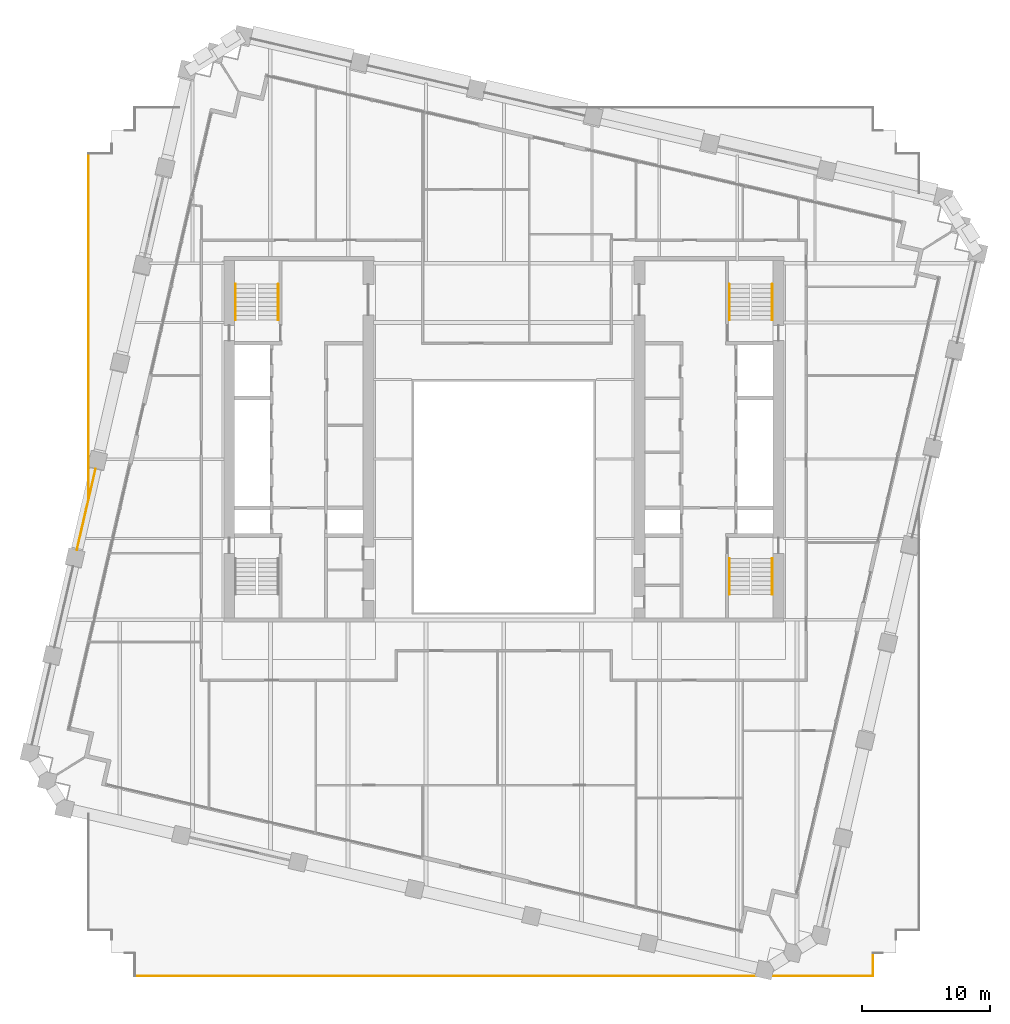
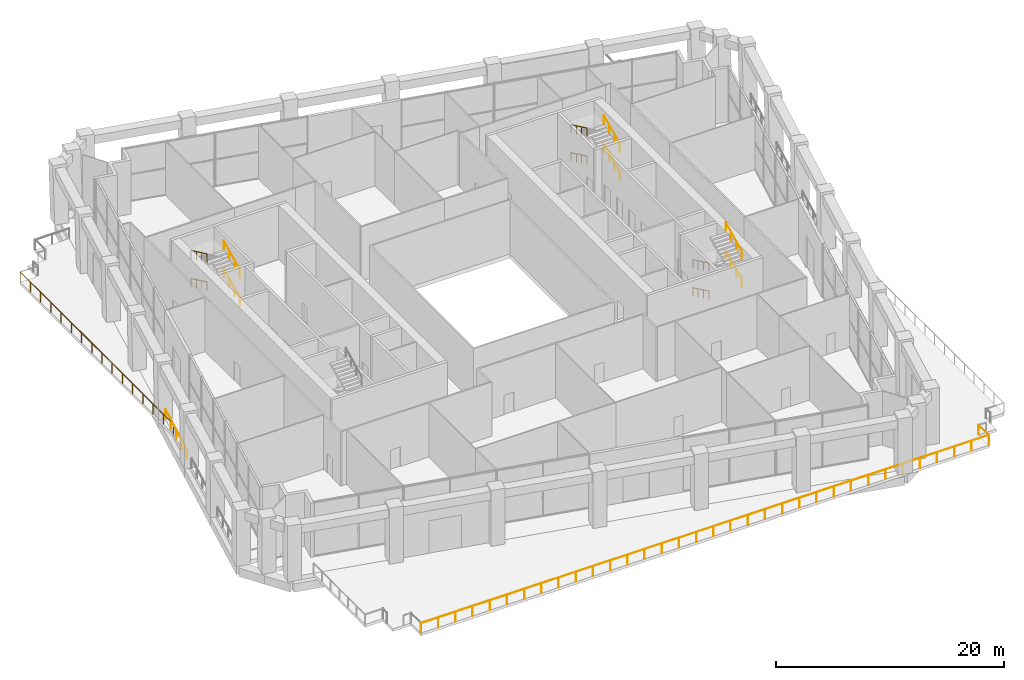
# One storey, part 21 of 23: 16 railings.
"""IFC4 building model written with IfcOpenShell, lengths in metres."""

from ifc_helpers import new_model, si_unit, direction, frame, origin, origin_2d, place, context, subcontext, project, spatial, circle, extrude, material, type_object, element, save


model = new_model("IFC4")

# Units and contexts
model_context = context("Model", 3, precision=1e-05, world=origin(), true_north=direction((0.0, 1.0)))
body_context = subcontext(model_context, "Body", "Model", "MODEL_VIEW")
ifc_project = project(units=[si_unit("LENGTHUNIT", "METRE"), si_unit("AREAUNIT", "SQUARE_METRE"), si_unit("VOLUMEUNIT", "CUBIC_METRE"), si_unit("PLANEANGLEUNIT", "RADIAN"), si_unit("MASSUNIT", "GRAM", prefix="KILO")], contexts=[model_context])

# Site, building, storey
site_placement = place(None, origin())
site = spatial("IfcSite", under=ifc_project, at=site_placement, CompositionType="ELEMENT")
building_placement = place(site_placement, origin())
building = spatial("IfcBuilding", under=site, at=building_placement, Name="Ogive Exchange Tower", CompositionType="ELEMENT")
storey_placement = place(building_placement, frame((0.0, 0.0, 99.60009765625)))
storey = spatial("IfcBuildingStorey", under=building, at=storey_placement, Name="L21", CompositionType="ELEMENT", Elevation=99.60009765625)

# Railings
ifc_material_1 = material(Name="Stainless steel 316", Category="steel")
railing_type_1 = type_object("IfcRailingType", Name="Balustrade 1100 glass and stainless steel", PredefinedType="BALUSTRADE", material=ifc_material_1)
railing_1_placement = place(storey_placement, frame((28.800048828125, -28.60009765625, 0.0)))
element("IfcRailing", 1, at=railing_1_placement, inside=storey, type_object=railing_type_1, Name="Terrace balustrade 4", PredefinedType="BALUSTRADE", context=body_context, shape_type="SweptSolid", body=[
    extrude(circle(Radius=0.02392578125, at=origin_2d()), frame((0.0, 0.0, 1.076171875), z_axis=(0.0, -1.0, 0.0), x_axis=(1.0, 0.0, 0.0)), (0.0, 0.0, 1.0), 1.7998046875),
    extrude(circle(Radius=0.02099609375, at=origin_2d()), origin(), (0.0, 0.0, 1.0), 1.052001953125),
    extrude(circle(Radius=0.02099609375, at=origin_2d()), frame((0.0, -1.7998046875, 0.0)), (0.0, 0.0, 1.0), 1.052001953125),
])
railing_2_placement = place(storey_placement, frame((28.800048828125, -30.39990234375, 0.0)))
element("IfcRailing", 2, at=railing_2_placement, inside=storey, type_object=railing_type_1, Name="Terrace balustrade 5", PredefinedType="BALUSTRADE", context=body_context, shape_type="SweptSolid", body=[
    extrude(circle(Radius=0.02392578125, at=origin_2d()), frame((0.0, 0.0, 1.076171875), z_axis=(-1.0, 0.0, 0.0), x_axis=(0.0, -1.0, 0.0)), (0.0, 0.0, 1.0), 57.60009765625),
    extrude(circle(Radius=0.02099609375, at=origin_2d()), origin(), (0.0, 0.0, 1.0), 1.052001953125),
    extrude(circle(Radius=0.02099609375, at=origin_2d()), frame((-1.745361328125, 0.0, 0.0)), (0.0, 0.0, 1.0), 1.052001953125),
    extrude(circle(Radius=0.02099609375, at=origin_2d()), frame((-3.490966796875, 0.0, 0.0)), (0.0, 0.0, 1.0), 1.052001953125),
    extrude(circle(Radius=0.02099609375, at=origin_2d()), frame((-5.236328125, 0.0, 0.0)), (0.0, 0.0, 1.0), 1.052001953125),
    extrude(circle(Radius=0.02099609375, at=origin_2d()), frame((-6.98193359375, 0.0, 0.0)), (0.0, 0.0, 1.0), 1.052001953125),
    extrude(circle(Radius=0.02099609375, at=origin_2d()), frame((-8.727294921875, 0.0, 0.0)), (0.0, 0.0, 1.0), 1.052001953125),
    extrude(circle(Radius=0.02099609375, at=origin_2d()), frame((-10.47265625, 0.0, 0.0)), (0.0, 0.0, 1.0), 1.052001953125),
    extrude(circle(Radius=0.02099609375, at=origin_2d()), frame((-12.21826171875, 0.0, 0.0)), (0.0, 0.0, 1.0), 1.052001953125),
    extrude(circle(Radius=0.02099609375, at=origin_2d()), frame((-13.963623046875, 0.0, 0.0)), (0.0, 0.0, 1.0), 1.052001953125),
    extrude(circle(Radius=0.02099609375, at=origin_2d()), frame((-15.709228515625, 0.0, 0.0)), (0.0, 0.0, 1.0), 1.052001953125),
    extrude(circle(Radius=0.02099609375, at=origin_2d()), frame((-17.45458984375, 0.0, 0.0)), (0.0, 0.0, 1.0), 1.052001953125),
    extrude(circle(Radius=0.02099609375, at=origin_2d()), frame((-19.199951171875, 0.0, 0.0)), (0.0, 0.0, 1.0), 1.052001953125),
    extrude(circle(Radius=0.02099609375, at=origin_2d()), frame((-20.945556640625, 0.0, 0.0)), (0.0, 0.0, 1.0), 1.052001953125),
    extrude(circle(Radius=0.02099609375, at=origin_2d()), frame((-22.69091796875, 0.0, 0.0)), (0.0, 0.0, 1.0), 1.052001953125),
    extrude(circle(Radius=0.02099609375, at=origin_2d()), frame((-24.4365234375, 0.0, 0.0)), (0.0, 0.0, 1.0), 1.052001953125),
    extrude(circle(Radius=0.02099609375, at=origin_2d()), frame((-26.181884765625, 0.0, 0.0)), (0.0, 0.0, 1.0), 1.052001953125),
    extrude(circle(Radius=0.02099609375, at=origin_2d()), frame((-27.92724609375, 0.0, 0.0)), (0.0, 0.0, 1.0), 1.052001953125),
    extrude(circle(Radius=0.02099609375, at=origin_2d()), frame((-29.6728515625, 0.0, 0.0)), (0.0, 0.0, 1.0), 1.052001953125),
    extrude(circle(Radius=0.02099609375, at=origin_2d()), frame((-31.418212890625, 0.0, 0.0)), (0.0, 0.0, 1.0), 1.052001953125),
    extrude(circle(Radius=0.02099609375, at=origin_2d()), frame((-33.16357421875, 0.0, 0.0)), (0.0, 0.0, 1.0), 1.052001953125),
    extrude(circle(Radius=0.02099609375, at=origin_2d()), frame((-34.9091796875, 0.0, 0.0)), (0.0, 0.0, 1.0), 1.052001953125),
    extrude(circle(Radius=0.02099609375, at=origin_2d()), frame((-36.654541015625, 0.0, 0.0)), (0.0, 0.0, 1.0), 1.052001953125),
    extrude(circle(Radius=0.02099609375, at=origin_2d()), frame((-38.400146484375, 0.0, 0.0)), (0.0, 0.0, 1.0), 1.052001953125),
    extrude(circle(Radius=0.02099609375, at=origin_2d()), frame((-40.1455078125, 0.0, 0.0)), (0.0, 0.0, 1.0), 1.052001953125),
    extrude(circle(Radius=0.02099609375, at=origin_2d()), frame((-41.890869140625, 0.0, 0.0)), (0.0, 0.0, 1.0), 1.052001953125),
    extrude(circle(Radius=0.02099609375, at=origin_2d()), frame((-43.636474609375, 0.0, 0.0)), (0.0, 0.0, 1.0), 1.052001953125),
    extrude(circle(Radius=0.02099609375, at=origin_2d()), frame((-45.3818359375, 0.0, 0.0)), (0.0, 0.0, 1.0), 1.052001953125),
    extrude(circle(Radius=0.02099609375, at=origin_2d()), frame((-47.12744140625, 0.0, 0.0)), (0.0, 0.0, 1.0), 1.052001953125),
    extrude(circle(Radius=0.02099609375, at=origin_2d()), frame((-48.872802734375, 0.0, 0.0)), (0.0, 0.0, 1.0), 1.052001953125),
    extrude(circle(Radius=0.02099609375, at=origin_2d()), frame((-50.6181640625, 0.0, 0.0)), (0.0, 0.0, 1.0), 1.052001953125),
    extrude(circle(Radius=0.02099609375, at=origin_2d()), frame((-52.36376953125, 0.0, 0.0)), (0.0, 0.0, 1.0), 1.052001953125),
    extrude(circle(Radius=0.02099609375, at=origin_2d()), frame((-54.109130859375, 0.0, 0.0)), (0.0, 0.0, 1.0), 1.052001953125),
    extrude(circle(Radius=0.02099609375, at=origin_2d()), frame((-55.854736328125, 0.0, 0.0)), (0.0, 0.0, 1.0), 1.052001953125),
    extrude(circle(Radius=0.02099609375, at=origin_2d()), frame((-57.60009765625, 0.0, 0.0)), (0.0, 0.0, 1.0), 1.052001953125),
])
railing_3_placement = place(storey_placement, frame((-32.39990234375, 6.857421875, 0.0)))
element("IfcRailing", 3, at=railing_3_placement, inside=storey, type_object=railing_type_1, Name="Terrace balustrade 17", PredefinedType="BALUSTRADE", context=body_context, shape_type="SweptSolid", body=[
    extrude(circle(Radius=0.02392578125, at=origin_2d()), frame((0.0, 0.0, 1.076171875), z_axis=(0.0, 1.0, 0.0), x_axis=(-1.0, 0.0, 0.0)), (0.0, 0.0, 1.0), 26.942626953125),
    extrude(circle(Radius=0.02099609375, at=origin_2d()), origin(), (0.0, 0.0, 1.0), 1.052001953125),
    extrude(circle(Radius=0.02099609375, at=origin_2d()), frame((0.0, 1.796142578125, 0.0)), (0.0, 0.0, 1.0), 1.052001953125),
    extrude(circle(Radius=0.02099609375, at=origin_2d()), frame((0.0, 3.59228515625, 0.0)), (0.0, 0.0, 1.0), 1.052001953125),
    extrude(circle(Radius=0.02099609375, at=origin_2d()), frame((0.0, 5.388427734375, 0.0)), (0.0, 0.0, 1.0), 1.052001953125),
    extrude(circle(Radius=0.02099609375, at=origin_2d()), frame((0.0, 7.184814453125, 0.0)), (0.0, 0.0, 1.0), 1.052001953125),
    extrude(circle(Radius=0.02099609375, at=origin_2d()), frame((0.0, 8.98095703125, 0.0)), (0.0, 0.0, 1.0), 1.052001953125),
    extrude(circle(Radius=0.02099609375, at=origin_2d()), frame((0.0, 10.777099609375, 0.0)), (0.0, 0.0, 1.0), 1.052001953125),
    extrude(circle(Radius=0.02099609375, at=origin_2d()), frame((0.0, 12.5732421875, 0.0)), (0.0, 0.0, 1.0), 1.052001953125),
    extrude(circle(Radius=0.02099609375, at=origin_2d()), frame((0.0, 14.369384765625, 0.0)), (0.0, 0.0, 1.0), 1.052001953125),
    extrude(circle(Radius=0.02099609375, at=origin_2d()), frame((0.0, 16.16552734375, 0.0)), (0.0, 0.0, 1.0), 1.052001953125),
    extrude(circle(Radius=0.02099609375, at=origin_2d()), frame((0.0, 17.961669921875, 0.0)), (0.0, 0.0, 1.0), 1.052001953125),
    extrude(circle(Radius=0.02099609375, at=origin_2d()), frame((0.0, 19.7578125, 0.0)), (0.0, 0.0, 1.0), 1.052001953125),
    extrude(circle(Radius=0.02099609375, at=origin_2d()), frame((0.0, 21.55419921875, 0.0)), (0.0, 0.0, 1.0), 1.052001953125),
    extrude(circle(Radius=0.02099609375, at=origin_2d()), frame((0.0, 23.350341796875, 0.0)), (0.0, 0.0, 1.0), 1.052001953125),
    extrude(circle(Radius=0.02099609375, at=origin_2d()), frame((0.0, 25.146484375, 0.0)), (0.0, 0.0, 1.0), 1.052001953125),
    extrude(circle(Radius=0.02099609375, at=origin_2d()), frame((0.0, 26.942626953125, 0.0)), (0.0, 0.0, 1.0), 1.052001953125),
])
railing_type_2 = type_object("IfcRailingType", Name="Guard 1100 stainless steel and glass", PredefinedType="GUARDRAIL", material=ifc_material_1)
railing_4_placement = place(storey_placement, frame((-31.86669921875, 9.166748046875, 0.0)))
element("IfcRailing", 4, at=railing_4_placement, inside=storey, type_object=railing_type_2, Name="Loggia guard W04", PredefinedType="GUARDRAIL", context=body_context, shape_type="SweptSolid", body=[
    extrude(circle(Radius=0.02392578125, at=origin_2d()), frame((0.0, 0.0, 1.076171875), z_axis=(-0.224978190169, -0.974363799588, 0.0), x_axis=(0.974363799588, -0.224978190169, 0.0)), (0.0, 0.0, 1.0), 6.4599609375),
    extrude(circle(Radius=0.02099609375, at=origin_2d()), origin(), (0.0, 0.0, 1.0), 1.052001953125),
    extrude(circle(Radius=0.02099609375, at=origin_2d()), frame((-0.36328125, -1.57373046875, 0.0)), (0.0, 0.0, 1.0), 1.052001953125),
    extrude(circle(Radius=0.02099609375, at=origin_2d()), frame((-0.7265625, -3.147216796875, 0.0)), (0.0, 0.0, 1.0), 1.052001953125),
    extrude(circle(Radius=0.02099609375, at=origin_2d()), frame((-1.090087890625, -4.720703125, 0.0)), (0.0, 0.0, 1.0), 1.052001953125),
    extrude(circle(Radius=0.02099609375, at=origin_2d()), frame((-1.453369140625, -6.29443359375, 0.0)), (0.0, 0.0, 1.0), 1.052001953125),
])
ifc_material_2 = material(Name="Stainless steel", Category="steel")
railing_type_3 = type_object("IfcRailingType", Name="Stair handrail 900", PredefinedType="HANDRAIL", material=ifc_material_2)
railing_5_placement = place(storey_placement, frame((-17.60009765625, 20.800048828125, 0.16650390625)))
element("IfcRailing", 5, at=railing_5_placement, inside=storey, type_object=railing_type_3, Name="L21 ST2 stair handrail 1", PredefinedType="HANDRAIL", context=body_context, shape_type="SweptSolid", body=[
    extrude(circle(Radius=0.02392578125, at=origin_2d()), frame((0.0, 0.0, 0.8759765625), z_axis=(0.0, 0.903307180593, 0.428994332701), x_axis=(-1.0, 0.0, 0.0)), (0.0, 0.0, 1.0), 3.1083984375),
    extrude(circle(Radius=0.02099609375, at=origin_2d()), origin(), (0.0, 0.0, 1.0), 0.851806640625),
    extrude(circle(Radius=0.02099609375, at=origin_2d()), frame((0.0, 0.93603515625, 0.444580078125)), (0.0, 0.0, 1.0), 0.851806640625),
    extrude(circle(Radius=0.02099609375, at=origin_2d()), frame((0.0, 1.871826171875, 0.888916015625)), (0.0, 0.0, 1.0), 0.851806640625),
    extrude(circle(Radius=0.02099609375, at=origin_2d()), frame((0.0, 2.807861328125, 1.33349609375)), (0.0, 0.0, 1.0), 0.851806640625),
])
railing_6_placement = place(storey_placement, frame((-20.949951171875, 23.60791015625, 1.66650390625)))
element("IfcRailing", 6, at=railing_6_placement, inside=storey, type_object=railing_type_3, Name="L21 ST2 stair handrail 2", PredefinedType="HANDRAIL", context=body_context, shape_type="SweptSolid", body=[
    extrude(circle(Radius=0.02392578125, at=origin_2d()), frame((0.0, 0.0, 0.8759765625), z_axis=(0.0, -0.903307180593, 0.428994332701), x_axis=(1.0, 0.0, 0.0)), (0.0, 0.0, 1.0), 3.1083984375),
    extrude(circle(Radius=0.02099609375, at=origin_2d()), origin(), (0.0, 0.0, 1.0), 0.851806640625),
    extrude(circle(Radius=0.02099609375, at=origin_2d()), frame((0.0, -0.93603515625, 0.444580078125)), (0.0, 0.0, 1.0), 0.851806640625),
    extrude(circle(Radius=0.02099609375, at=origin_2d()), frame((0.0, -1.871826171875, 0.888916015625)), (0.0, 0.0, 1.0), 0.851806640625),
    extrude(circle(Radius=0.02099609375, at=origin_2d()), frame((0.0, -2.807861328125, 1.33349609375)), (0.0, 0.0, 1.0), 0.851806640625),
])
railing_7_placement = place(storey_placement, frame((-17.60009765625, 20.800048828125, 3.16650390625)))
element("IfcRailing", 7, at=railing_7_placement, inside=storey, type_object=railing_type_3, Name="L21 ST2 stair handrail 3", PredefinedType="HANDRAIL", context=body_context, shape_type="SweptSolid", body=[
    extrude(circle(Radius=0.02392578125, at=origin_2d()), frame((0.0, 0.0, 0.8759765625), z_axis=(0.0, 0.903307180593, 0.428994332701), x_axis=(-1.0, 0.0, 0.0)), (0.0, 0.0, 1.0), 3.1083984375),
    extrude(circle(Radius=0.02099609375, at=origin_2d()), origin(), (0.0, 0.0, 1.0), 0.851806640625),
    extrude(circle(Radius=0.02099609375, at=origin_2d()), frame((0.0, 0.93603515625, 0.444580078125)), (0.0, 0.0, 1.0), 0.851806640625),
    extrude(circle(Radius=0.02099609375, at=origin_2d()), frame((0.0, 1.871826171875, 0.888916015625)), (0.0, 0.0, 1.0), 0.851806640625),
    extrude(circle(Radius=0.02099609375, at=origin_2d()), frame((0.0, 2.807861328125, 1.33349609375)), (0.0, 0.0, 1.0), 0.851806640625),
])
for number, where, name in (
    (8, (-20.949951171875, 23.60791015625, 4.66650390625), "L21 ST2 stair handrail 4"),
    (9, (17.60009765625, 2.199951171875, 0.16650390625), "L21 ST3 stair handrail 1"),
):
    element("IfcRailing", number, at=place(storey_placement, frame(where)), inside=storey, type_object=railing_type_3, Name=name, PredefinedType="HANDRAIL", context=body_context, shape_type="SweptSolid", body=[
        extrude(circle(Radius=0.02392578125, at=origin_2d()), frame((0.0, 0.0, 0.8759765625), z_axis=(0.0, -0.903307180593, 0.428994332701), x_axis=(1.0, 0.0, 0.0)), (0.0, 0.0, 1.0), 3.1083984375),
        extrude(circle(Radius=0.02099609375, at=origin_2d()), origin(), (0.0, 0.0, 1.0), 0.851806640625),
        extrude(circle(Radius=0.02099609375, at=origin_2d()), frame((0.0, -0.93603515625, 0.444580078125)), (0.0, 0.0, 1.0), 0.851806640625),
        extrude(circle(Radius=0.02099609375, at=origin_2d()), frame((0.0, -1.871826171875, 0.888916015625)), (0.0, 0.0, 1.0), 0.851806640625),
        extrude(circle(Radius=0.02099609375, at=origin_2d()), frame((0.0, -2.807861328125, 1.33349609375)), (0.0, 0.0, 1.0), 0.851806640625),
    ])
railing_8_placement = place(storey_placement, frame((20.949951171875, -0.60791015625, 1.66650390625)))
element("IfcRailing", 10, at=railing_8_placement, inside=storey, type_object=railing_type_3, Name="L21 ST3 stair handrail 2", PredefinedType="HANDRAIL", context=body_context, shape_type="SweptSolid", body=[
    extrude(circle(Radius=0.02392578125, at=origin_2d()), frame((0.0, 0.0, 0.8759765625), z_axis=(0.0, 0.903307180593, 0.428994332701), x_axis=(-1.0, 0.0, 0.0)), (0.0, 0.0, 1.0), 3.1083984375),
    extrude(circle(Radius=0.02099609375, at=origin_2d()), origin(), (0.0, 0.0, 1.0), 0.851806640625),
    extrude(circle(Radius=0.02099609375, at=origin_2d()), frame((0.0, 0.93603515625, 0.444580078125)), (0.0, 0.0, 1.0), 0.851806640625),
    extrude(circle(Radius=0.02099609375, at=origin_2d()), frame((0.0, 1.871826171875, 0.888916015625)), (0.0, 0.0, 1.0), 0.851806640625),
    extrude(circle(Radius=0.02099609375, at=origin_2d()), frame((0.0, 2.807861328125, 1.33349609375)), (0.0, 0.0, 1.0), 0.851806640625),
])
railing_9_placement = place(storey_placement, frame((17.60009765625, 2.199951171875, 3.16650390625)))
element("IfcRailing", 11, at=railing_9_placement, inside=storey, type_object=railing_type_3, Name="L21 ST3 stair handrail 3", PredefinedType="HANDRAIL", context=body_context, shape_type="SweptSolid", body=[
    extrude(circle(Radius=0.02392578125, at=origin_2d()), frame((0.0, 0.0, 0.8759765625), z_axis=(0.0, -0.903307180593, 0.428994332701), x_axis=(1.0, 0.0, 0.0)), (0.0, 0.0, 1.0), 3.1083984375),
    extrude(circle(Radius=0.02099609375, at=origin_2d()), origin(), (0.0, 0.0, 1.0), 0.851806640625),
    extrude(circle(Radius=0.02099609375, at=origin_2d()), frame((0.0, -0.93603515625, 0.444580078125)), (0.0, 0.0, 1.0), 0.851806640625),
    extrude(circle(Radius=0.02099609375, at=origin_2d()), frame((0.0, -1.871826171875, 0.888916015625)), (0.0, 0.0, 1.0), 0.851806640625),
    extrude(circle(Radius=0.02099609375, at=origin_2d()), frame((0.0, -2.807861328125, 1.33349609375)), (0.0, 0.0, 1.0), 0.851806640625),
])
for number, where, name in (
    (12, (20.949951171875, -0.60791015625, 4.66650390625), "L21 ST3 stair handrail 4"),
    (13, (20.949951171875, 20.800048828125, 0.16650390625), "L21 ST4 stair handrail 1"),
):
    element("IfcRailing", number, at=place(storey_placement, frame(where)), inside=storey, type_object=railing_type_3, Name=name, PredefinedType="HANDRAIL", context=body_context, shape_type="SweptSolid", body=[
        extrude(circle(Radius=0.02392578125, at=origin_2d()), frame((0.0, 0.0, 0.8759765625), z_axis=(0.0, 0.903307180593, 0.428994332701), x_axis=(-1.0, 0.0, 0.0)), (0.0, 0.0, 1.0), 3.1083984375),
        extrude(circle(Radius=0.02099609375, at=origin_2d()), origin(), (0.0, 0.0, 1.0), 0.851806640625),
        extrude(circle(Radius=0.02099609375, at=origin_2d()), frame((0.0, 0.93603515625, 0.444580078125)), (0.0, 0.0, 1.0), 0.851806640625),
        extrude(circle(Radius=0.02099609375, at=origin_2d()), frame((0.0, 1.871826171875, 0.888916015625)), (0.0, 0.0, 1.0), 0.851806640625),
        extrude(circle(Radius=0.02099609375, at=origin_2d()), frame((0.0, 2.807861328125, 1.33349609375)), (0.0, 0.0, 1.0), 0.851806640625),
    ])
railing_10_placement = place(storey_placement, frame((17.60009765625, 23.60791015625, 1.66650390625)))
element("IfcRailing", 14, at=railing_10_placement, inside=storey, type_object=railing_type_3, Name="L21 ST4 stair handrail 2", PredefinedType="HANDRAIL", context=body_context, shape_type="SweptSolid", body=[
    extrude(circle(Radius=0.02392578125, at=origin_2d()), frame((0.0, 0.0, 0.8759765625), z_axis=(0.0, -0.903307180593, 0.428994332701), x_axis=(1.0, 0.0, 0.0)), (0.0, 0.0, 1.0), 3.1083984375),
    extrude(circle(Radius=0.02099609375, at=origin_2d()), origin(), (0.0, 0.0, 1.0), 0.851806640625),
    extrude(circle(Radius=0.02099609375, at=origin_2d()), frame((0.0, -0.93603515625, 0.444580078125)), (0.0, 0.0, 1.0), 0.851806640625),
    extrude(circle(Radius=0.02099609375, at=origin_2d()), frame((0.0, -1.871826171875, 0.888916015625)), (0.0, 0.0, 1.0), 0.851806640625),
    extrude(circle(Radius=0.02099609375, at=origin_2d()), frame((0.0, -2.807861328125, 1.33349609375)), (0.0, 0.0, 1.0), 0.851806640625),
])
railing_11_placement = place(storey_placement, frame((20.949951171875, 20.800048828125, 3.16650390625)))
element("IfcRailing", 15, at=railing_11_placement, inside=storey, type_object=railing_type_3, Name="L21 ST4 stair handrail 3", PredefinedType="HANDRAIL", context=body_context, shape_type="SweptSolid", body=[
    extrude(circle(Radius=0.02392578125, at=origin_2d()), frame((0.0, 0.0, 0.8759765625), z_axis=(0.0, 0.903307180593, 0.428994332701), x_axis=(-1.0, 0.0, 0.0)), (0.0, 0.0, 1.0), 3.1083984375),
    extrude(circle(Radius=0.02099609375, at=origin_2d()), origin(), (0.0, 0.0, 1.0), 0.851806640625),
    extrude(circle(Radius=0.02099609375, at=origin_2d()), frame((0.0, 0.93603515625, 0.444580078125)), (0.0, 0.0, 1.0), 0.851806640625),
    extrude(circle(Radius=0.02099609375, at=origin_2d()), frame((0.0, 1.871826171875, 0.888916015625)), (0.0, 0.0, 1.0), 0.851806640625),
    extrude(circle(Radius=0.02099609375, at=origin_2d()), frame((0.0, 2.807861328125, 1.33349609375)), (0.0, 0.0, 1.0), 0.851806640625),
])
railing_12_placement = place(storey_placement, frame((17.60009765625, 23.60791015625, 4.66650390625)))
element("IfcRailing", 16, at=railing_12_placement, inside=storey, type_object=railing_type_3, Name="L21 ST4 stair handrail 4", PredefinedType="HANDRAIL", context=body_context, shape_type="SweptSolid", body=[
    extrude(circle(Radius=0.02392578125, at=origin_2d()), frame((0.0, 0.0, 0.8759765625), z_axis=(0.0, -0.903307180593, 0.428994332701), x_axis=(1.0, 0.0, 0.0)), (0.0, 0.0, 1.0), 3.1083984375),
    extrude(circle(Radius=0.02099609375, at=origin_2d()), origin(), (0.0, 0.0, 1.0), 0.851806640625),
    extrude(circle(Radius=0.02099609375, at=origin_2d()), frame((0.0, -0.93603515625, 0.444580078125)), (0.0, 0.0, 1.0), 0.851806640625),
    extrude(circle(Radius=0.02099609375, at=origin_2d()), frame((0.0, -1.871826171875, 0.888916015625)), (0.0, 0.0, 1.0), 0.851806640625),
    extrude(circle(Radius=0.02099609375, at=origin_2d()), frame((0.0, -2.807861328125, 1.33349609375)), (0.0, 0.0, 1.0), 0.851806640625),
])

save(model, "model.ifc")
